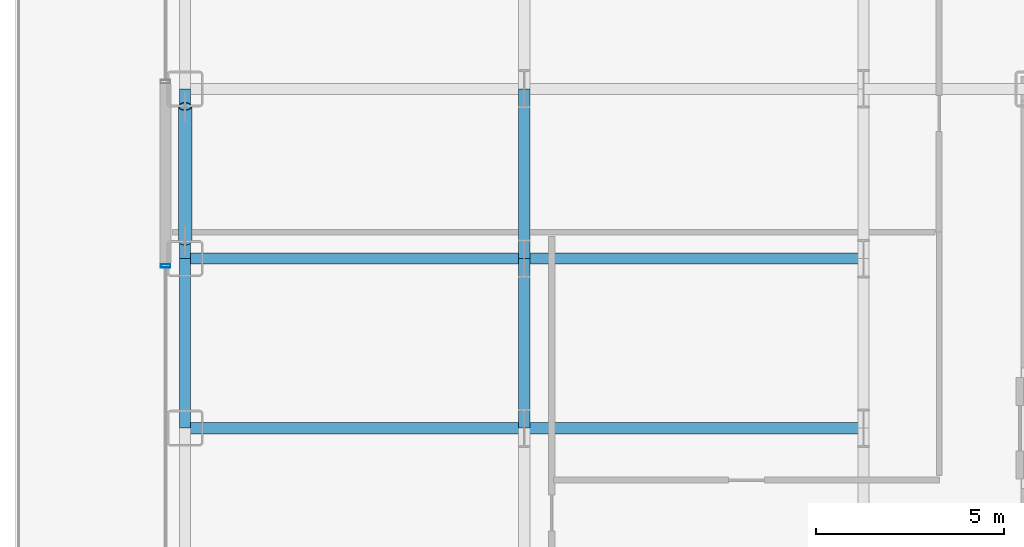
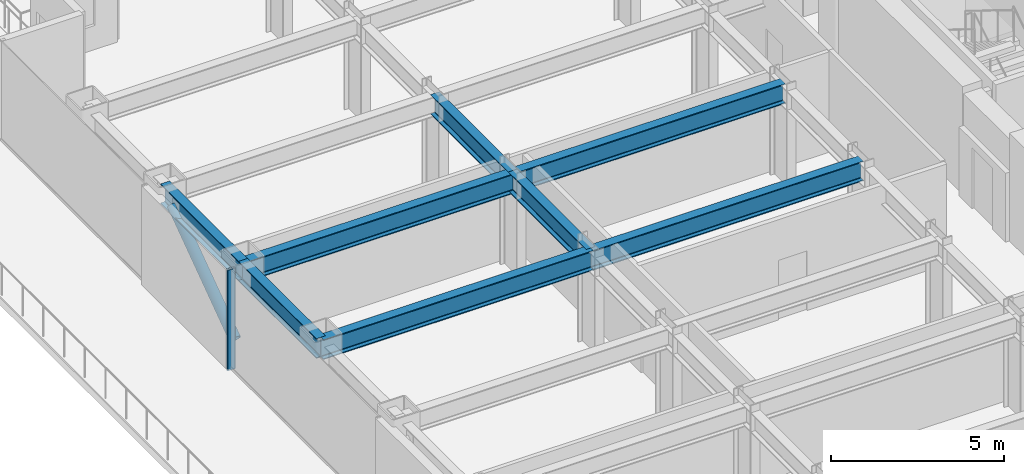
# One storey, part 6 of 30: 8 beams, 2 members, 1 element without a shape of its own.
"""IFC4 building model written with IfcOpenShell, lengths in metres."""

from ifc_helpers import new_model, si_unit, direction, frame, origin, origin_2d, place, context, subcontext, project, spatial, hollow_rectangle, hollow_circle, i_section, extrude, source, transform, mapped, material, layer, layer_set, material_profile, profile_set, type_object, element, aggregate, save


model = new_model("IFC4")

# Units and contexts
model_context = context("Model", 3, precision=1e-05, world=origin(), true_north=direction((0.0, 1.0)))
body_context = subcontext(model_context, "Body", "Model", "MODEL_VIEW")
ifc_project = project(units=[si_unit("LENGTHUNIT", "METRE"), si_unit("AREAUNIT", "SQUARE_METRE"), si_unit("VOLUMEUNIT", "CUBIC_METRE"), si_unit("PLANEANGLEUNIT", "RADIAN"), si_unit("MASSUNIT", "GRAM", prefix="KILO")], contexts=[model_context])

# Site, building, storey
site_placement = place(None, origin())
site = spatial("IfcSite", under=ifc_project, at=site_placement, CompositionType="ELEMENT")
building_placement = place(site_placement, origin())
building = spatial("IfcBuilding", under=site, at=building_placement, Name="Nefas-Gora Pilgrimage Tower", CompositionType="ELEMENT")
storey_placement = place(building_placement, frame((0.0, 0.0, 33.0)))
storey = spatial("IfcBuildingStorey", under=building, at=storey_placement, Name="L06", CompositionType="ELEMENT", Elevation=33.0)

# Beams
ifc_material_1 = material(Name="Steel S355", Category="steel")
ifc_material_profile_1 = material_profile(ifc_material_1, i_section(OverallWidth=0.300048828125, OverallDepth=0.699951171875, WebThickness=0.01708984375, FlangeThickness=0.031982421875, FilletRadius=0.027099609375, at=origin_2d()), Name="HEB 700")
ifc_profile_set_1 = profile_set([ifc_material_profile_1], Name="Steel S355")
beam_type_1 = type_object("IfcBeamType", Name="BM-SPN-HEB600", PredefinedType="SPANDREL", material=ifc_profile_set_1)
shared_shape_1 = source(origin(), body_context, "Body", "SweptSolid", [
    extrude(i_section(OverallWidth=0.300048828125, OverallDepth=0.699951171875, WebThickness=0.01708984375, FlangeThickness=0.031982421875, FilletRadius=0.027099609375, at=origin_2d()), origin(), (0.0, 0.0, 1.0), 4.5),
])
for number, where, z_axis, x_axis, name in (
    (1, (-33.75, 0.0, 3.199951171875), (0.0, 1.0, 0.0), (-1.0, 0.0, 0.0), "L06 SP-01 beam"),
    (2, (-33.75, 4.5, 3.199951171875), (0.0, 1.0, 0.0), (-1.0, 0.0, 0.0), "L06 SP-01 beam"),
):
    element("IfcBeam", number, at=place(storey_placement, frame(where, z_axis=z_axis, x_axis=x_axis)), inside=storey, type_object=beam_type_1, Name=name, PredefinedType="SPANDREL", context=body_context, shape_type="MappedRepresentation", body=[
        mapped(shared_shape_1, transform((0.0, 0.0, 0.0), x_axis=(1.0, 0.0, 0.0), y_axis=(0.0, 1.0, 0.0), z_axis=(0.0, 0.0, 1.0), scale=1.0)),
    ])
ifc_material_profile_2 = material_profile(ifc_material_1, i_section(OverallWidth=0.300048828125, OverallDepth=0.699951171875, WebThickness=0.01708984375, FlangeThickness=0.031982421875, FilletRadius=0.027099609375, at=origin_2d()), Name="HEB 700")
ifc_profile_set_2 = profile_set([ifc_material_profile_2], Name="Steel S355")
beam_type_2 = type_object("IfcBeamType", Name="BM-GIR-HEB700", PredefinedType="BEAM", material=ifc_profile_set_2)
shared_shape_2 = source(origin(), body_context, "Body", "SweptSolid", [
    extrude(i_section(OverallWidth=0.300048828125, OverallDepth=0.699951171875, WebThickness=0.01708984375, FlangeThickness=0.031982421875, FilletRadius=0.027099609375, at=origin_2d()), origin(), (0.0, 0.0, 1.0), 9.0),
])
for number, where, z_axis, x_axis, name in (
    (3, (-33.75, 0.0, 3.199951171875), (1.0, 0.0, 0.0), (0.0, 1.0, 0.0), "L06 G-02 beam"),
    (4, (-33.75, 4.5, 3.199951171875), (1.0, 0.0, 0.0), (0.0, 1.0, 0.0), "L06 G-02 beam"),
    (5, (-24.75, 0.0, 3.199951171875), (1.0, 0.0, 0.0), (0.0, 1.0, 0.0), "L06 G-02 beam"),
    (6, (-24.75, 4.5, 3.199951171875), (1.0, 0.0, 0.0), (0.0, 1.0, 0.0), "L06 G-02 beam"),
):
    element("IfcBeam", number, at=place(storey_placement, frame(where, z_axis=z_axis, x_axis=x_axis)), inside=storey, type_object=beam_type_2, Name=name, PredefinedType="BEAM", context=body_context, shape_type="MappedRepresentation", body=[
        mapped(shared_shape_2, transform((0.0, 0.0, 0.0), x_axis=(1.0, 0.0, 0.0), y_axis=(0.0, 1.0, 0.0), z_axis=(0.0, 0.0, 1.0), scale=1.0)),
    ])
shared_shape_3 = source(origin(), body_context, "Body", "SweptSolid", [
    extrude(i_section(OverallWidth=0.300048828125, OverallDepth=0.699951171875, WebThickness=0.01708984375, FlangeThickness=0.031982421875, FilletRadius=0.027099609375, at=origin_2d()), origin(), (0.0, 0.0, 1.0), 4.5),
])
for number, where, z_axis, x_axis, name in (
    (7, (-24.75, 0.0, 3.199951171875), (0.0, 1.0, 0.0), (-1.0, 0.0, 0.0), "L06 G-02 beam"),
    (8, (-24.75, 4.5, 3.199951171875), (0.0, 1.0, 0.0), (-1.0, 0.0, 0.0), "L06 G-02 beam"),
):
    element("IfcBeam", number, at=place(storey_placement, frame(where, z_axis=z_axis, x_axis=x_axis)), inside=storey, type_object=beam_type_2, Name=name, PredefinedType="BEAM", context=body_context, shape_type="MappedRepresentation", body=[
        mapped(shared_shape_3, transform((0.0, 0.0, 0.0), x_axis=(1.0, 0.0, 0.0), y_axis=(0.0, 1.0, 0.0), z_axis=(0.0, 0.0, 1.0), scale=1.0)),
    ])

# Member
ifc_material_2 = material(Name="Steel S460", Category="steel")
ifc_material_profile_3 = material_profile(ifc_material_2, hollow_circle(Radius=0.177734375, WallThickness=0.02001953125, at=origin_2d()), Name="CHS 355.6x20")
ifc_profile_set_3 = profile_set([ifc_material_profile_3], Name="Steel S460")
member_type_1 = type_object("IfcMemberType", Name="MEM-TUBE-356", PredefinedType="BRACE", material=ifc_profile_set_3)
shared_shape_4 = source(origin(), body_context, "Body", "SweptSolid", [
    extrude(hollow_circle(Radius=0.177734375, WallThickness=0.02001953125, at=origin_2d()), origin(), (0.0, 0.0, 1.0), 4.39501953125),
])
member_1_placement = place(storey_placement, frame((-33.75, 4.962890625, 0.481201171875), z_axis=(0.0, 0.813237738338, 0.581931594729), x_axis=(-1.0, 0.0, 0.0)))
element("IfcMember", 9, at=member_1_placement, inside=storey, type_object=member_type_1, Name="L06 Perimeter Tube Diagonal Brace W2", PredefinedType="BRACE", context=body_context, shape_type="MappedRepresentation", body=[
    mapped(shared_shape_4, transform((0.0, 0.0, 0.0), x_axis=(1.0, 0.0, 0.0), y_axis=(0.0, 1.0, 0.0), z_axis=(0.0, 0.0, 1.0), scale=1.0)),
])

# Curtain wall, member
ifc_material_3 = material(Name="Dark ceramic-fritted solar-control aluminium-glass curtain wall", Category="aluminium")
ifc_layer = layer(ifc_material_3, 0.219970703125)
ifc_layer_set = layer_set([ifc_layer], Name="Dark ceramic-fritted solar-control aluminium-glass curtain wall")
curtain_wall_type = type_object("IfcCurtainWallType", Name="CW-SYS-2", PredefinedType="NOTDEFINED", material=ifc_layer_set)
curtain_wall_placement = place(storey_placement, origin())
curtain_wall = element("IfcCurtainWall", 10, at=curtain_wall_placement, inside=storey, type_object=curtain_wall_type, Name="L06 Unitised Curtain Wall CW2", PredefinedType="NOTDEFINED")
ifc_material_4 = material(Name="Anodised architectural aluminium", Category="aluminium")
ifc_material_profile_4 = material_profile(ifc_material_4, hollow_rectangle(XDim=0.090087890625, YDim=0.260009765625, WallThickness=0.006103515625, InnerFilletRadius=0.006103515625, OuterFilletRadius=0.011962890625, at=origin_2d()), Name="ALU MULLION 90x260")
ifc_profile_set_4 = profile_set([ifc_material_profile_4], Name="Anodised architectural aluminium")
member_type_2 = type_object("IfcMemberType", Name="CWM-MUL-2", PredefinedType="MULLION", material=ifc_profile_set_4)
shared_shape_5 = source(origin(), body_context, "Body", "SweptSolid", [
    extrude(hollow_rectangle(XDim=0.090087890625, YDim=0.260009765625, WallThickness=0.006103515625, InnerFilletRadius=0.006103515625, OuterFilletRadius=0.011962890625, at=origin_2d()), origin(), (0.0, 0.0, 1.0), 3.550048828125),
])
member_2_placement = place(storey_placement, frame((-34.27001953125, 4.304931640625, 0.0), z_axis=(0.0, 0.0, 1.0), x_axis=(0.0, -1.0, 0.0)))
member_2 = element("IfcMember", 11, at=member_2_placement, type_object=member_type_2, Name="CW2 Mullion 1", PredefinedType="MULLION", context=body_context, shape_type="MappedRepresentation", body=[
    mapped(shared_shape_5, transform((0.0, 0.0, 0.0), x_axis=(1.0, 0.0, 0.0), y_axis=(0.0, 1.0, 0.0), z_axis=(0.0, 0.0, 1.0), scale=1.0)),
])
aggregate(curtain_wall, [member_2])

save(model, "model.ifc")
